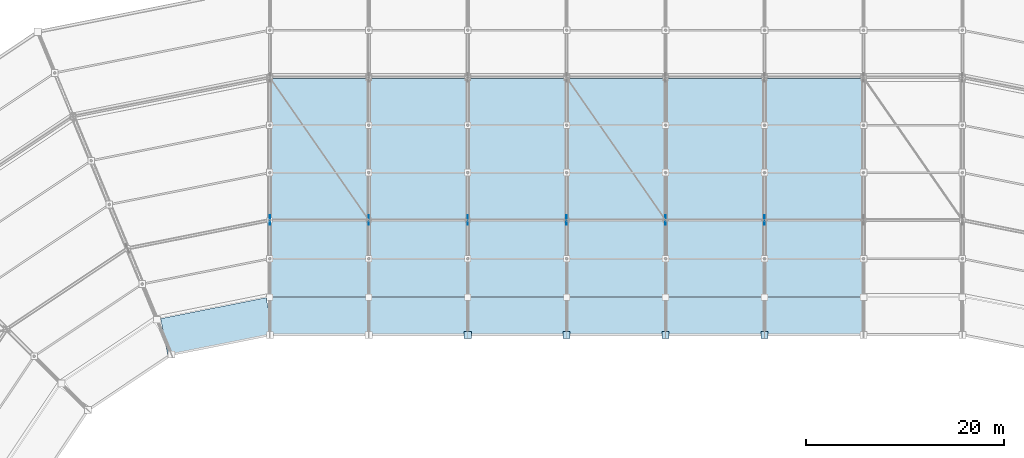
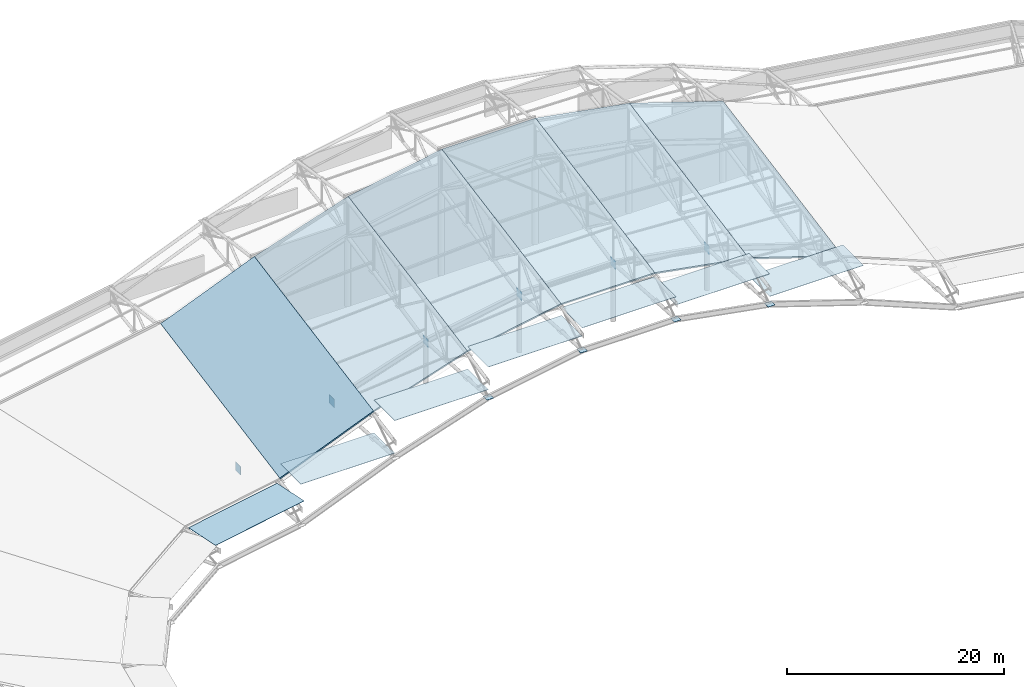
# One storey, part 111 of 146: 17 plates, 6 slabs.
"""IFC4 building model written with IfcOpenShell, lengths in metres."""

from ifc_helpers import new_model, si_unit, direction, frame, origin, origin_2d, place, context, subcontext, project, spatial, polyline, rectangle, outline, extrude, material, layer, layer_set, type_object, element, save


model = new_model("IFC4")

# Units and contexts
model_context = context("Model", 3, precision=1e-05, world=origin(), true_north=direction((0.0, 1.0)))
body_context = subcontext(model_context, "Body", "Model", "MODEL_VIEW")
ifc_project = project(units=[si_unit("LENGTHUNIT", "METRE"), si_unit("AREAUNIT", "SQUARE_METRE"), si_unit("VOLUMEUNIT", "CUBIC_METRE"), si_unit("PLANEANGLEUNIT", "RADIAN"), si_unit("MASSUNIT", "GRAM", prefix="KILO")], contexts=[model_context])

# Site, building, storey
site_placement = place(None, origin())
site = spatial("IfcSite", under=ifc_project, at=site_placement, CompositionType="ELEMENT")
building_placement = place(site_placement, origin())
building = spatial("IfcBuilding", under=site, at=building_placement, Name="Candeia Ridge Stadium", CompositionType="ELEMENT")
storey_placement = place(building_placement, frame((0.0, 0.0, 31.800048828125)))
storey = spatial("IfcBuildingStorey", under=building, at=storey_placement, Name="RF", CompositionType="ELEMENT", Elevation=31.800048828125)

# Plates
ifc_material_1 = material(Name="Steel ASTM A572 Grade 50", Category="steel")
ifc_layer_1 = layer(ifc_material_1, 0.02490234375, Name="Steel ASTM A572 Grade 50", Category="steel")
ifc_layer_set_1 = layer_set([ifc_layer_1], Name="Steel ASTM A572 Grade 50")
plate_type_1 = type_object("IfcPlateType", Name="Hollow Section End Closure Plate CP2", PredefinedType="SHEET", material=ifc_layer_set_1)
for number, where, z_axis, x_axis, name in (
    (1, (121.0, 121.0, 5.376708984375), (0.0, 0.0, 1.0), (1.0, 0.0, 0.0), "Hollow section end closure plate BCAP-TIP-02"),
    (2, (111.0, 121.0, 7.19189453125), (0.0, 0.0, 1.0), (1.0, 0.0, 0.0), "Hollow section end closure plate BCAP-TIP-03"),
    (3, (101.0, 121.0, 7.19189453125), (0.0, 0.0, 1.0), (1.0, 0.0, 0.0), "Hollow section end closure plate BCAP-TIP-04"),
    (4, (91.0, 121.0, 5.376708984375), (0.0, 0.0, 1.0), (1.0, 0.0, 0.0), "Hollow section end closure plate BCAP-TIP-05"),
):
    element("IfcPlate", number, at=place(storey_placement, frame(where, z_axis=z_axis, x_axis=x_axis)), inside=storey, type_object=plate_type_1, Name=name, PredefinedType="SHEET", context=body_context, shape_type="SweptSolid", body=[
        extrude(rectangle(XDim=0.719970703125, YDim=0.719970703125, at=origin_2d()), origin(), (0.0, 0.0, 1.0), 0.02490234375),
    ])
ifc_material_2 = material(Name="Polycarbonate Multiwall Glazing", Category="glass")
ifc_layer_2 = layer(ifc_material_2, 0.034912109375, Name="Polycarbonate Multiwall Glazing", Category="glass")
ifc_layer_set_2 = layer_set([ifc_layer_2], Name="Polycarbonate Multiwall Glazing")
plate_type_2 = type_object("IfcPlateType", Name="Inner Roof Polycarbonate Daylight Panel DP1", PredefinedType="SHEET", material=ifc_layer_set_2)
for number, where, z_axis, x_axis, name in (
    (5, (116.0, 122.89990234375, 8.78076171875), (0.0, 0.0, 1.0), (-1.0, 0.0, 0.0), "Inner roof polycarbonate daylight ring panel 03"),
    (6, (96.0, 122.89990234375, 8.78076171875), (0.0, 0.0, 1.0), (-1.0, 0.0, 0.0), "Inner roof polycarbonate daylight ring panel 05"),
    (7, (76.0, 122.89990234375, 2.5634765625), (0.0, 0.0, 1.0), (-1.0, 0.0, 0.0), "Inner roof polycarbonate daylight ring panel 07"),
):
    element("IfcPlate", number, at=place(storey_placement, frame(where, z_axis=z_axis, x_axis=x_axis)), inside=storey, type_object=plate_type_2, Name=name, PredefinedType="SHEET", context=body_context, shape_type="SweptSolid", body=[
        extrude(rectangle(XDim=10.0, YDim=3.800048828125, at=origin_2d()), origin(), (0.0, 0.0, 1.0), 0.034912109375),
    ])
ifc_layer_3 = layer(ifc_material_2, 0.034912109375, Name="Polycarbonate Multiwall Glazing", Category="glass")
ifc_layer_set_3 = layer_set([ifc_layer_3], Name="Polycarbonate Multiwall Glazing")
plate_type_3 = type_object("IfcPlateType", Name="Inner Roof Polycarbonate Daylight Panel DP2", PredefinedType="SHEET", material=ifc_layer_set_3)
for number, where, z_axis, x_axis, name in (
    (8, (126.0, 122.89990234375, 6.23779296875), (0.0, 0.0, 1.0), (-1.0, 0.0, 0.0), "Inner roof polycarbonate daylight ring panel 02"),
    (9, (106.0, 122.89990234375, 9.6884765625), (0.0, 0.0, 1.0), (-1.0, 0.0, 0.0), "Inner roof polycarbonate daylight ring panel 04"),
    (10, (86.0, 122.89990234375, 6.23779296875), (0.0, 0.0, 1.0), (-1.0, 0.0, 0.0), "Inner roof polycarbonate daylight ring panel 06"),
):
    element("IfcPlate", number, at=place(storey_placement, frame(where, z_axis=z_axis, x_axis=x_axis)), inside=storey, type_object=plate_type_3, Name=name, PredefinedType="SHEET", context=body_context, shape_type="SweptSolid", body=[
        extrude(rectangle(XDim=10.0, YDim=3.800048828125, at=origin_2d()), origin(), (0.0, 0.0, 1.0), 0.034912109375),
    ])
plate_placement = place(storey_placement, frame((65.66162109375, 121.838134765625, 0.52392578125), z_axis=(0.0, 0.0, 1.0), x_axis=(-0.980785282416, -0.195090311899, 0.0)))
element("IfcPlate", 11, at=plate_placement, inside=storey, type_object=plate_type_3, Name="Inner roof polycarbonate daylight ring panel 08", PredefinedType="SHEET", context=body_context, shape_type="SweptSolid", body=[
    extrude(rectangle(XDim=10.885986328125, YDim=3.800048828125, at=origin_2d()), origin(), (0.0, 0.0, 1.0), 0.034912109375),
])
ifc_layer_4 = layer(ifc_material_1, 0.031982421875, Name="Steel ASTM A572 Grade 50", Category="steel")
ifc_layer_set_4 = layer_set([ifc_layer_4], Name="Steel ASTM A572 Grade 50")
plate_type_4 = type_object("IfcPlateType", Name="Roof Truss Inner Support Node Gusset ND-1", PredefinedType="USERDEFINED", material=ifc_layer_set_4)
for number, where, z_axis, x_axis, name in (
    (12, (121.0, 132.60009765625, 4.2099609375), (0.0, 0.0, 1.0), (0.0, 1.0, 0.0), "Roof truss inner support node ND-1 bay 03"),
    (13, (111.0, 132.60009765625, 6.025390625), (0.0, 0.0, 1.0), (0.0, 1.0, 0.0), "Roof truss inner support node ND-1 bay 04"),
    (14, (101.0, 132.60009765625, 6.025390625), (0.0, 0.0, 1.0), (0.0, 1.0, 0.0), "Roof truss inner support node ND-1 bay 05"),
    (15, (91.0, 132.60009765625, 4.2099609375), (0.0, 0.0, 1.0), (0.0, 1.0, 0.0), "Roof truss inner support node ND-1 bay 06"),
    (16, (81.0, 132.60009765625, 0.939453125), (0.0, 0.0, 1.0), (0.0, 1.0, 0.0), "Roof truss inner support node ND-1 bay 07"),
    (17, (71.0, 132.60009765625, -3.13916015625), (0.0, 0.0, 1.0), (0.0, 1.0, 0.0), "Roof truss inner support node ND-1 bay 08"),
):
    element("IfcPlate", number, at=place(storey_placement, frame(where, z_axis=z_axis, x_axis=x_axis)), inside=storey, type_object=plate_type_4, Name=name, ObjectType="GUSSET PLATE", PredefinedType="USERDEFINED", context=body_context, shape_type="SweptSolid", body=[
        extrude(rectangle(XDim=0.949951171875, YDim=0.031982421875, at=origin_2d()), origin(), (0.0, 0.0, 1.0), 0.949951171875),
    ])

# Slabs
ifc_layer_5 = layer(ifc_material_1, 0.179931640625, Name="Steel ASTM A572 Grade 50", Category="steel")
ifc_layer_set_5 = layer_set([ifc_layer_5], Name="Steel ASTM A572 Grade 50")
slab_type = type_object("IfcSlabType", Name="Saddle Roof Structural Deck 180", PredefinedType="ROOF", material=ifc_layer_set_5)
slab_1_placement = place(storey_placement, frame((131.0, 124.89990234375, 4.989990234375), z_axis=(0.306194760531, -0.173146705069, 0.936090266559), x_axis=(-0.950445756952, 0.0, 0.310890435831)))
element("IfcSlab", 18, at=slab_1_placement, inside=storey, type_object=slab_type, Name="Stadium saddle roof main deck bay 02", PredefinedType="ROOF", context=body_context, shape_type="SweptSolid", body=[
    extrude(outline(polyline([(0.0, 0.0), (10.521378970711385, 0.0), (11.787635108644103, -22.35770937819049), (1.2662561379327173, -22.357709378190485), (0.0, 0.0)])), origin(), (0.0, 0.0, -1.0), 0.179931640625),
])
slab_2_placement = place(storey_placement, frame((121.0, 124.89990234375, 8.260986328125), z_axis=(0.175689525775, -0.179095172622, 0.968017618474), x_axis=(-0.983925976221, 0.0, 0.178576799493)))
element("IfcSlab", 19, at=slab_2_placement, inside=storey, type_object=slab_type, Name="Stadium saddle roof main deck bay 03", PredefinedType="ROOF", context=body_context, shape_type="SweptSolid", body=[
    extrude(outline(polyline([(0.0, 0.0), (10.163366189807427, 0.0), (10.890883536764887, -22.381895535998282), (0.7275173469574608, -22.381895535998282), (0.0, 0.0)])), origin(), (0.0, 0.0, -1.0), 0.179931640625),
])
slab_3_placement = place(storey_placement, frame((111.0, 124.89990234375, 10.075927734375), z_axis=(0.0, -0.181924900567, 0.983312427743), x_axis=(-1.0, 0.0, 0.0)))
element("IfcSlab", 20, at=slab_3_placement, inside=storey, type_object=slab_type, Name="Stadium saddle roof main deck bay 04", PredefinedType="ROOF", context=body_context, shape_type="SweptSolid", body=[
    extrude(outline(polyline([(0.0, 0.0), (10.0, 0.0), (10.0, -22.393716289943118), (0.0, -22.393716289943118), (0.0, 0.0)])), origin(), (0.0, 0.0, -1.0), 0.179931640625),
])
slab_4_placement = place(storey_placement, frame((101.0, 124.89990234375, 10.075927734375), z_axis=(-0.175690876442, -0.179053618675, 0.968025060406), x_axis=(-0.983925976221, 0.0, -0.178576799493)))
element("IfcSlab", 21, at=slab_4_placement, inside=storey, type_object=slab_type, Name="Stadium saddle roof main deck bay 05", PredefinedType="ROOF", context=body_context, shape_type="SweptSolid", body=[
    extrude(outline(polyline([(0.0, 0.0), (10.163366189807427, 0.0), (9.436023234255721, -22.38172346964122), (-0.7273429555517061, -22.38172346964122), (0.0, 0.0)])), origin(), (0.0, 0.0, -1.0), 0.179931640625),
])
slab_5_placement = place(storey_placement, frame((91.0, 124.89990234375, 8.260986328125), z_axis=(-0.306192559332, -0.173186974564, 0.936083537112), x_axis=(-0.950445756952, 0.0, -0.310890435831)))
element("IfcSlab", 22, at=slab_5_placement, inside=storey, type_object=slab_type, Name="Stadium saddle roof main deck bay 06", PredefinedType="ROOF", context=body_context, shape_type="SweptSolid", body=[
    extrude(outline(polyline([(0.0, 0.0), (10.521378970711385, 0.0), (9.254819228837427, -22.357870106401638), (-1.2665597418739587, -22.357870106401638), (0.0, 0.0)])), origin(), (0.0, 0.0, -1.0), 0.179931640625),
])
slab_6_placement = place(storey_placement, frame((81.0, 124.89990234375, 4.989990234375), z_axis=(-0.372198893243, -0.168815005026, 0.912671615614), x_axis=(-0.925961239527, 0.0, -0.377618567994)))
element("IfcSlab", 23, at=slab_6_placement, inside=storey, type_object=slab_type, Name="Stadium saddle roof main deck bay 07", PredefinedType="ROOF", context=body_context, shape_type="SweptSolid", body=[
    extrude(outline(polyline([(0.0, 0.0), (10.799588117869359, -1.1102230246251565e-16), (9.261548427964117, -22.34065816306125), (-1.538039689905241, -22.34065816306125), (0.0, 0.0)])), origin(), (0.0, 0.0, -1.0), 0.179931640625),
])

save(model, "model.ifc")
